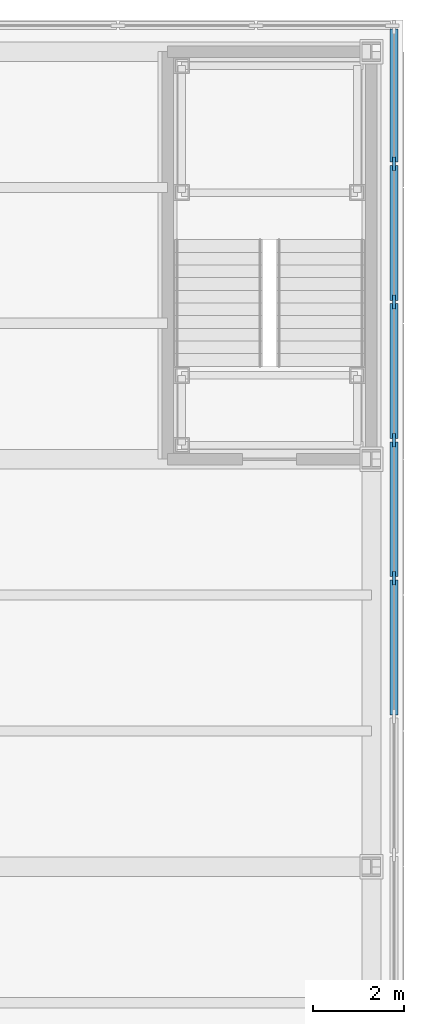
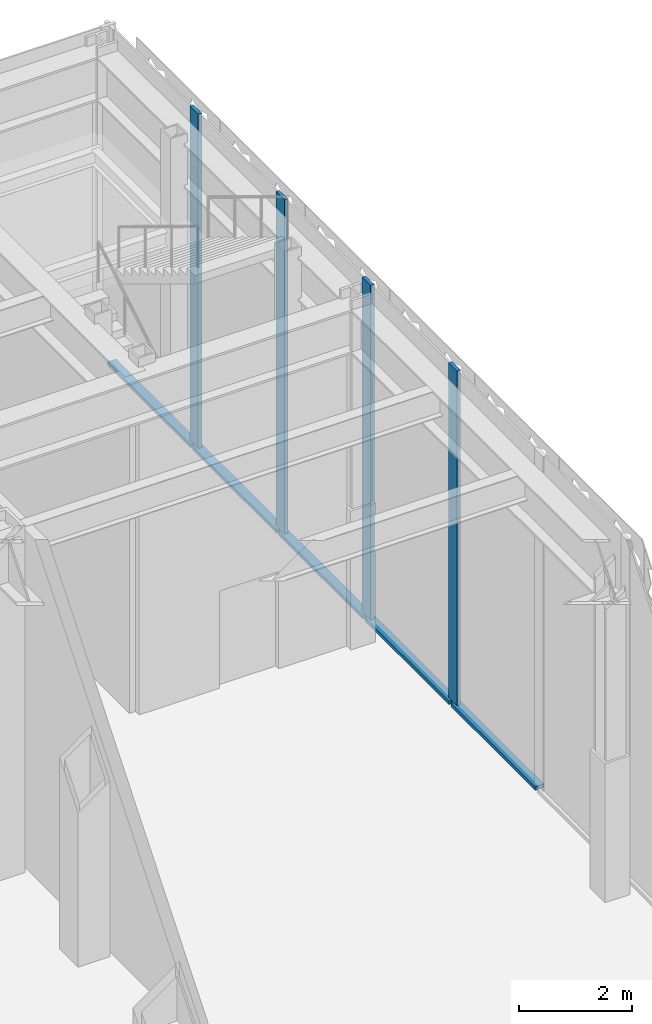
# One storey, part 10 of 34: 9 members, 1 element without a shape of its own.
"""IFC4 building model written with IfcOpenShell, lengths in metres."""

from ifc_helpers import new_model, si_unit, direction, frame, origin, origin_2d, place, context, subcontext, project, spatial, rectangle, extrude, material, layer, layer_set, material_profile, profile_set, type_object, element, aggregate, save


model = new_model("IFC4")

# Units and contexts
model_context = context("Model", 3, precision=1e-05, world=origin(), true_north=direction((0.0, 1.0)))
body_context = subcontext(model_context, "Body", "Model", "MODEL_VIEW")
ifc_project = project(units=[si_unit("LENGTHUNIT", "METRE"), si_unit("AREAUNIT", "SQUARE_METRE"), si_unit("VOLUMEUNIT", "CUBIC_METRE"), si_unit("PLANEANGLEUNIT", "RADIAN"), si_unit("MASSUNIT", "GRAM", prefix="KILO")], contexts=[model_context])

# Site, building, storey
site_placement = place(None, origin())
site = spatial("IfcSite", under=ifc_project, at=site_placement, CompositionType="ELEMENT")
building_placement = place(site_placement, origin())
building = spatial("IfcBuilding", under=site, at=building_placement, Name="Chuquiago Exchange Tower", CompositionType="ELEMENT")
storey_placement = place(building_placement, frame((0.0, 0.0, 6.0)))
storey = spatial("IfcBuildingStorey", under=building, at=storey_placement, Name="L01", CompositionType="ELEMENT", Elevation=6.0)

# Curtain wall, members
ifc_material_1 = material(Name="Aluminium curtain wall system", Category="aluminium")
ifc_layer = layer(ifc_material_1, 0.300048828125)
ifc_layer_set = layer_set([ifc_layer], Name="CW4 podium curtain wall")
curtain_wall_type = type_object("IfcCurtainWallType", Name="CW4 podium curtain wall", PredefinedType="NOTDEFINED", material=ifc_layer_set)
curtain_wall_placement = place(storey_placement, origin())
curtain_wall = element("IfcCurtainWall", 1, at=curtain_wall_placement, inside=storey, type_object=curtain_wall_type, Name="CW4 curtain wall L01", PredefinedType="NOTDEFINED")
ifc_material_2 = material(Name="Aluminium mullion, pale anodised", Category="aluminium")
ifc_material_profile_1 = material_profile(ifc_material_2, rectangle(XDim=0.074951171875, YDim=0.300048828125, at=origin_2d()), Name="AL 75x300")
ifc_profile_set_1 = profile_set([ifc_material_profile_1], Name="Aluminium mullion, pale anodised")
member_type_1 = type_object("IfcMemberType", Name="CW4-M mullion 75x300", PredefinedType="MULLION", material=ifc_profile_set_1)
member_1_placement = place(storey_placement, frame((54.5, 33.3701171875, 0.0), z_axis=(0.0, 0.0, 1.0), x_axis=(-1.0, 0.0, 0.0)))
member_1 = element("IfcMember", 2, at=member_1_placement, type_object=member_type_1, Name="CW4 mullion 18", PredefinedType="MULLION", context=body_context, shape_type="SweptSolid", body=[
    extrude(rectangle(XDim=0.074951171875, YDim=0.300048828125, at=origin_2d()), origin(), (0.0, 0.0, 1.0), 7.300048828125),
])
member_2_placement = place(storey_placement, frame((54.5, 36.42138671875, 0.0), z_axis=(0.0, 0.0, 1.0), x_axis=(-1.0, 0.0, 0.0)))
member_2 = element("IfcMember", 3, at=member_2_placement, type_object=member_type_1, Name="CW4 mullion 19", PredefinedType="MULLION", context=body_context, shape_type="SweptSolid", body=[
    extrude(rectangle(XDim=0.074951171875, YDim=0.300048828125, at=origin_2d()), origin(), (0.0, 0.0, 1.0), 7.300048828125),
])
member_3_placement = place(storey_placement, frame((54.5, 39.47265625, 0.0), z_axis=(0.0, 0.0, 1.0), x_axis=(-1.0, 0.0, 0.0)))
member_3 = element("IfcMember", 4, at=member_3_placement, type_object=member_type_1, Name="CW4 mullion 20", PredefinedType="MULLION", context=body_context, shape_type="SweptSolid", body=[
    extrude(rectangle(XDim=0.074951171875, YDim=0.300048828125, at=origin_2d()), origin(), (0.0, 0.0, 1.0), 7.300048828125),
])
member_4_placement = place(storey_placement, frame((54.5, 42.52392578125, 0.0), z_axis=(0.0, 0.0, 1.0), x_axis=(-1.0, 0.0, 0.0)))
member_4 = element("IfcMember", 5, at=member_4_placement, type_object=member_type_1, Name="CW4 mullion 21", PredefinedType="MULLION", context=body_context, shape_type="SweptSolid", body=[
    extrude(rectangle(XDim=0.074951171875, YDim=0.300048828125, at=origin_2d()), origin(), (0.0, 0.0, 1.0), 7.300048828125),
])
ifc_material_3 = material(Name="Aluminium transom, pale anodised", Category="aluminium")
ifc_material_profile_2 = material_profile(ifc_material_3, rectangle(XDim=0.179931640625, YDim=0.074951171875, at=origin_2d()), Name="AL 180x75")
ifc_profile_set_2 = profile_set([ifc_material_profile_2], Name="Aluminium transom, pale anodised")
member_type_2 = type_object("IfcMemberType", Name="CW4-T transom 75x180", PredefinedType="MULLION", material=ifc_profile_set_2)
member_5_placement = place(storey_placement, frame((54.5, 30.3564453125, 0.03759765625), z_axis=(0.0, 1.0, 0.0), x_axis=(-1.0, 0.0, 0.0)))
member_5 = element("IfcMember", 6, at=member_5_placement, type_object=member_type_2, Name="CW4 transom 17.1", PredefinedType="MULLION", context=body_context, shape_type="SweptSolid", body=[
    extrude(rectangle(XDim=0.179931640625, YDim=0.074951171875, at=origin_2d()), origin(), (0.0, 0.0, 1.0), 2.976318359375),
])
member_6_placement = place(storey_placement, frame((54.5, 33.40771484375, 0.03759765625), z_axis=(0.0, 1.0, 0.0), x_axis=(-1.0, 0.0, 0.0)))
member_6 = element("IfcMember", 7, at=member_6_placement, type_object=member_type_2, Name="CW4 transom 18.1", PredefinedType="MULLION", context=body_context, shape_type="SweptSolid", body=[
    extrude(rectangle(XDim=0.179931640625, YDim=0.074951171875, at=origin_2d()), origin(), (0.0, 0.0, 1.0), 2.976318359375),
])
member_7_placement = place(storey_placement, frame((54.5, 36.458984375, 0.03759765625), z_axis=(0.0, 1.0, 0.0), x_axis=(-1.0, 0.0, 0.0)))
member_7 = element("IfcMember", 8, at=member_7_placement, type_object=member_type_2, Name="CW4 transom 19.1", PredefinedType="MULLION", context=body_context, shape_type="SweptSolid", body=[
    extrude(rectangle(XDim=0.179931640625, YDim=0.074951171875, at=origin_2d()), origin(), (0.0, 0.0, 1.0), 2.97607421875),
])
member_8_placement = place(storey_placement, frame((54.5, 39.510009765625, 0.03759765625), z_axis=(0.0, 1.0, 0.0), x_axis=(-1.0, 0.0, 0.0)))
member_8 = element("IfcMember", 9, at=member_8_placement, type_object=member_type_2, Name="CW4 transom 20.1", PredefinedType="MULLION", context=body_context, shape_type="SweptSolid", body=[
    extrude(rectangle(XDim=0.179931640625, YDim=0.074951171875, at=origin_2d()), origin(), (0.0, 0.0, 1.0), 2.976318359375),
])
member_9_placement = place(storey_placement, frame((54.5, 42.561279296875, 0.03759765625), z_axis=(0.0, 1.0, 0.0), x_axis=(-1.0, 0.0, 0.0)))
member_9 = element("IfcMember", 10, at=member_9_placement, type_object=member_type_2, Name="CW4 transom 21.1", PredefinedType="MULLION", context=body_context, shape_type="SweptSolid", body=[
    extrude(rectangle(XDim=0.179931640625, YDim=0.074951171875, at=origin_2d()), origin(), (0.0, 0.0, 1.0), 2.938720703125),
])
aggregate(curtain_wall, [member_1, member_2, member_3, member_4, member_5, member_6, member_7, member_8, member_9])

save(model, "model.ifc")
